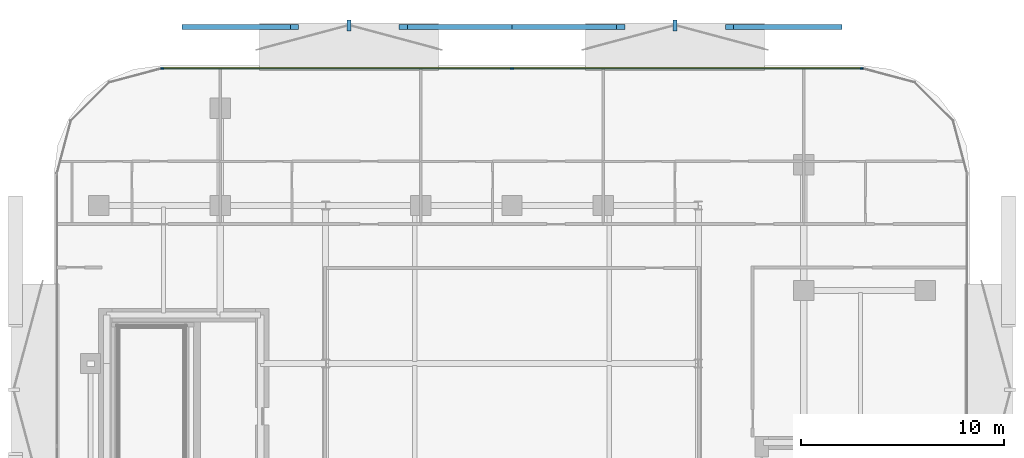
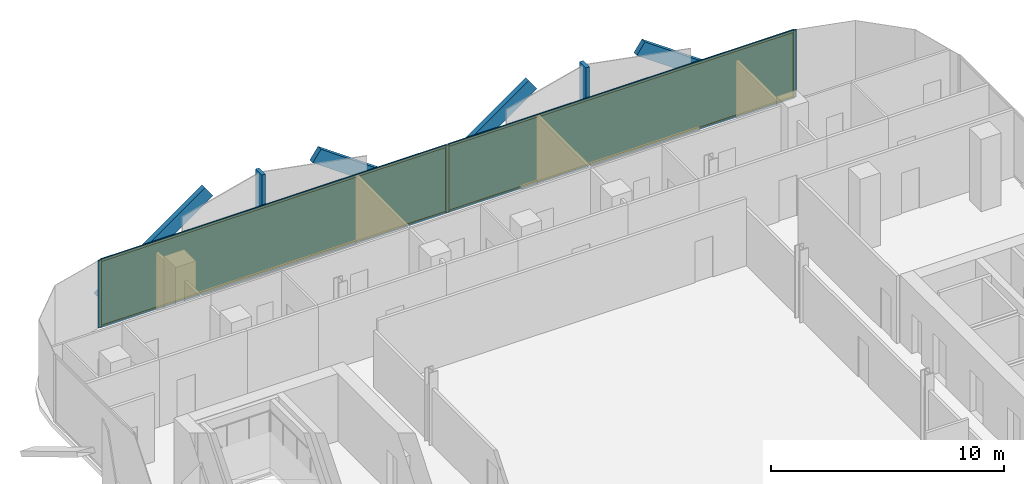
# One storey, part 12 of 17: 13 members, 2 plates, 1 curtain wall.
"""IFC4 building model written with IfcOpenShell, lengths in metres."""

from ifc_helpers import new_model, si_unit, direction, frame, frame_2d, origin, origin_2d, place, context, subcontext, project, spatial, rectangle, extrude, material, layer, layer_set, material_profile, profile_set, type_object, element, aggregate, save


model = new_model("IFC4")

# Units and contexts
model_context = context("Model", 3, precision=1e-05, world=origin(), true_north=direction((0.0, 1.0)))
body_context = subcontext(model_context, "Body", "Model", "MODEL_VIEW")
ifc_project = project(units=[si_unit("LENGTHUNIT", "METRE"), si_unit("AREAUNIT", "SQUARE_METRE"), si_unit("VOLUMEUNIT", "CUBIC_METRE"), si_unit("PLANEANGLEUNIT", "RADIAN"), si_unit("MASSUNIT", "GRAM", prefix="KILO")], contexts=[model_context])

# Member
ifc_material_1 = material(Name="Anodised Bronze Aluminium 6063-T6", Category="aluminium")
ifc_material_profile_1 = material_profile(ifc_material_1, rectangle(XDim=0.260009765625, YDim=0.699951171875, at=origin_2d()))
ifc_profile_set_1 = profile_set([ifc_material_profile_1], Name="Anodised Bronze Aluminium 6063-T6")
member_type_1 = type_object("IfcMemberType", Name="Bronze Diamond Solar-Screen Lattice Rib BDL-700", PredefinedType="MULLION", material=ifc_profile_set_1)
site_placement = place(None, origin())
building_placement = place(site_placement, origin())
storey_placement = place(building_placement, frame((0.0, 0.0, 172.60009765625)))
member_1_placement = place(storey_placement, frame((-16.0908203125, 27.39990234375, -0.130126953125), z_axis=(0.815960970702, 0.0, 0.578106992079), x_axis=(0.0, 1.0, 0.0)))
member_1 = element("IfcMember", 1, at=member_1_placement, type_object=member_type_1, Name="L39 Bronze Diamond Solar Screen Lattice Rib 253A", PredefinedType="MULLION", context=body_context, shape_type="SweptSolid", body=[
    extrude(rectangle(XDim=0.260009765625, YDim=0.699951171875, at=origin_2d()), origin(), (0.0, 0.0, 1.0), 6.5732421875),
])

member_2_placement = place(storey_placement, frame((0.0, 27.39990234375, -0.130126953125), z_axis=(-0.815960970702, 0.0, 0.578106992079), x_axis=(0.0, -1.0, 0.0)))
member_2 = element("IfcMember", 2, at=member_2_placement, type_object=member_type_1, Name="L39 Bronze Diamond Solar Screen Lattice Rib 253B", PredefinedType="MULLION", context=body_context, shape_type="SweptSolid", body=[
    extrude(rectangle(XDim=0.260009765625, YDim=0.699951171875, at=origin_2d()), origin(), (0.0, 0.0, 1.0), 6.5732421875),
])

member_3_placement = place(storey_placement, frame((0.0, 27.39990234375, -0.130126953125), z_axis=(0.815960970702, 0.0, 0.578106992079), x_axis=(0.0, 1.0, 0.0)))
member_3 = element("IfcMember", 3, at=member_3_placement, type_object=member_type_1, Name="L39 Bronze Diamond Solar Screen Lattice Rib 254A", PredefinedType="MULLION", context=body_context, shape_type="SweptSolid", body=[
    extrude(rectangle(XDim=0.260009765625, YDim=0.699951171875, at=origin_2d()), origin(), (0.0, 0.0, 1.0), 6.5732421875),
])

member_4_placement = place(storey_placement, frame((16.0908203125, 27.39990234375, -0.130126953125), z_axis=(-0.815960970702, 0.0, 0.578106992079), x_axis=(0.0, -1.0, 0.0)))
member_4 = element("IfcMember", 4, at=member_4_placement, type_object=member_type_1, Name="L39 Bronze Diamond Solar Screen Lattice Rib 254B", PredefinedType="MULLION", context=body_context, shape_type="SweptSolid", body=[
    extrude(rectangle(XDim=0.260009765625, YDim=0.699951171875, at=origin_2d()), origin(), (0.0, 0.0, 1.0), 6.5732421875),
])

ifc_material_2 = material(Name="Anodised Bronze Aluminium 6063-T6", Category="aluminium")
ifc_material_profile_2 = material_profile(ifc_material_2, rectangle(XDim=0.179931640625, YDim=0.5400390625, at=origin_2d()))
ifc_profile_set_2 = profile_set([ifc_material_profile_2], Name="Anodised Bronze Aluminium 6063-T6")
member_type_2 = type_object("IfcMemberType", Name="Bronze Solar-Screen Vertical Fold Fin BSF-540", PredefinedType="MULLION", material=ifc_profile_set_2)
member_5_placement = place(storey_placement, frame((-8.04541015625, 27.47998046875, -0.130126953125), z_axis=(0.0, 0.0, 1.0), x_axis=(1.0, 0.0, 0.0)))
member_5 = element("IfcMember", 5, at=member_5_placement, type_object=member_type_2, Name="L39 Bronze Solar Screen Vertical Fin 253", PredefinedType="MULLION", context=body_context, shape_type="SweptSolid", body=[
    extrude(rectangle(XDim=0.179931640625, YDim=0.5400390625, at=origin_2d()), origin(), (0.0, 0.0, 1.0), 3.800048828125),
])

member_6_placement = place(storey_placement, frame((8.04541015625, 27.47998046875, -0.130126953125), z_axis=(0.0, 0.0, 1.0), x_axis=(1.0, 0.0, 0.0)))
member_6 = element("IfcMember", 6, at=member_6_placement, type_object=member_type_2, Name="L39 Bronze Solar Screen Vertical Fin 254", PredefinedType="MULLION", context=body_context, shape_type="SweptSolid", body=[
    extrude(rectangle(XDim=0.179931640625, YDim=0.5400390625, at=origin_2d()), origin(), (0.0, 0.0, 1.0), 3.800048828125),
])

ifc_material_3 = material(Name="Anodised Bronze Aluminium 6063-T6", Category="aluminium")
ifc_material_profile_3 = material_profile(ifc_material_3, rectangle(XDim=0.06005859375, YDim=0.1650390625, at=origin_2d()))
ifc_profile_set_3 = profile_set([ifc_material_profile_3], Name="Anodised Bronze Aluminium 6063-T6")
member_type_3 = type_object("IfcMemberType", Name="CW-Z3 Mullion 60x165", PredefinedType="MULLION", material=ifc_profile_set_3)
member_7_placement = place(storey_placement, frame((-17.2607421875, 25.360107421875, 0.0), z_axis=(0.0, 0.0, 1.0), x_axis=(0.0, 1.0, 0.0)))
member_7 = element("IfcMember", 7, at=member_7_placement, type_object=member_type_3, Name="CW-Z3 mullion 1", PredefinedType="MULLION", context=body_context, shape_type="SweptSolid", body=[
    extrude(rectangle(XDim=0.06005859375, YDim=0.1650390625, at=origin_2d()), origin(), (0.0, 0.0, 1.0), 3.539794921875),
])

member_8_placement = place(storey_placement, frame((0.0, 25.360107421875, 0.0), z_axis=(0.0, 0.0, 1.0), x_axis=(0.0, 1.0, 0.0)))
member_8 = element("IfcMember", 8, at=member_8_placement, type_object=member_type_3, Name="CW-Z3 mullion 2", PredefinedType="MULLION", context=body_context, shape_type="SweptSolid", body=[
    extrude(rectangle(XDim=0.06005859375, YDim=0.1650390625, at=origin_2d()), origin(), (0.0, 0.0, 1.0), 3.539794921875),
])

member_9_placement = place(storey_placement, frame((17.2607421875, 25.360107421875, 0.0), z_axis=(0.0, 0.0, 1.0), x_axis=(0.0, 1.0, 0.0)))
member_9 = element("IfcMember", 9, at=member_9_placement, type_object=member_type_3, Name="CW-Z3 mullion 3", PredefinedType="MULLION", context=body_context, shape_type="SweptSolid", body=[
    extrude(rectangle(XDim=0.06005859375, YDim=0.1650390625, at=origin_2d()), origin(), (0.0, 0.0, 1.0), 3.539794921875),
])

ifc_material_4 = material(Name="Anodised Bronze Aluminium 6063-T6", Category="aluminium")
ifc_material_profile_4 = material_profile(ifc_material_4, rectangle(XDim=0.06005859375, YDim=0.1298828125, at=origin_2d()))
ifc_profile_set_4 = profile_set([ifc_material_profile_4], Name="Anodised Bronze Aluminium 6063-T6")
member_type_4 = type_object("IfcMemberType", Name="CW-Z3 Transom 60x130", PredefinedType="USERDEFINED", material=ifc_profile_set_4)
member_10_placement = place(storey_placement, frame((-17.230712890625, 25.360107421875, 0.02978515625), z_axis=(1.0, 0.0, 0.0), x_axis=(0.0, 1.0, 0.0)))
member_10 = element("IfcMember", 10, at=member_10_placement, type_object=member_type_4, Name="CW-Z3 transom 1.1", ObjectType="TRANSOM", PredefinedType="USERDEFINED", context=body_context, shape_type="SweptSolid", body=[
    extrude(rectangle(XDim=0.06005859375, YDim=0.1298828125, at=origin_2d()), origin(), (0.0, 0.0, 1.0), 17.20068359375),
])

member_11_placement = place(storey_placement, frame((-17.230712890625, 25.360107421875, 3.510009765625), z_axis=(1.0, 0.0, 0.0), x_axis=(0.0, 1.0, 0.0)))
member_11 = element("IfcMember", 11, at=member_11_placement, type_object=member_type_4, Name="CW-Z3 transom 1.2", ObjectType="TRANSOM", PredefinedType="USERDEFINED", context=body_context, shape_type="SweptSolid", body=[
    extrude(rectangle(XDim=0.06005859375, YDim=0.1298828125, at=origin_2d()), origin(), (0.0, 0.0, 1.0), 17.20068359375),
])

member_12_placement = place(storey_placement, frame((0.030029296875, 25.360107421875, 0.02978515625), z_axis=(1.0, 0.0, 0.0), x_axis=(0.0, 1.0, 0.0)))
member_12 = element("IfcMember", 12, at=member_12_placement, type_object=member_type_4, Name="CW-Z3 transom 2.1", ObjectType="TRANSOM", PredefinedType="USERDEFINED", context=body_context, shape_type="SweptSolid", body=[
    extrude(rectangle(XDim=0.06005859375, YDim=0.1298828125, at=origin_2d()), origin(), (0.0, 0.0, 1.0), 17.20068359375),
])

member_13_placement = place(storey_placement, frame((0.030029296875, 25.360107421875, 3.510009765625), z_axis=(1.0, 0.0, 0.0), x_axis=(0.0, 1.0, 0.0)))
member_13 = element("IfcMember", 13, at=member_13_placement, type_object=member_type_4, Name="CW-Z3 transom 2.2", ObjectType="TRANSOM", PredefinedType="USERDEFINED", context=body_context, shape_type="SweptSolid", body=[
    extrude(rectangle(XDim=0.06005859375, YDim=0.1298828125, at=origin_2d()), origin(), (0.0, 0.0, 1.0), 17.20068359375),
])

# Plate
ifc_material_5 = material(Name="Low-E Solar Control Laminated Glass", Category="glass")
ifc_layer_1 = layer(ifc_material_5, 0.030029296875, Name="Low-E Solar Control Laminated Glass")
ifc_layer_set_1 = layer_set([ifc_layer_1], Name="Low-E Solar Control Laminated Glass")
plate_type = type_object("IfcPlateType", Name="CW-Z3 Low-E Double Glazed Panel 30mm", PredefinedType="CURTAIN_PANEL", material=ifc_layer_set_1)
plate_1_placement = place(storey_placement, frame((-8.63037109375, 25.360107421875, 0.06005859375), z_axis=(0.0, 0.0, 1.0), x_axis=(1.0, 0.0, 0.0)))
plate_1 = element("IfcPlate", 14, at=plate_1_placement, type_object=plate_type, Name="CW-Z3 panel 1.1", PredefinedType="CURTAIN_PANEL", context=body_context, shape_type="SweptSolid", body=[
    extrude(rectangle(XDim=17.20068359375, YDim=0.030029296875, at=origin_2d()), origin(), (0.0, 0.0, 1.0), 3.419921875),
])

plate_2_placement = place(storey_placement, frame((8.63037109375, 25.360107421875, 0.06005859375), z_axis=(0.0, 0.0, 1.0), x_axis=(1.0, 0.0, 0.0)))
plate_2 = element("IfcPlate", 15, at=plate_2_placement, type_object=plate_type, Name="CW-Z3 panel 2.1", PredefinedType="CURTAIN_PANEL", context=body_context, shape_type="SweptSolid", body=[
    extrude(rectangle(XDim=17.20068359375, YDim=0.030029296875, at=origin_2d()), origin(), (0.0, 0.0, 1.0), 3.419921875),
])

# Site, building, storey
site = spatial("IfcSite", under=ifc_project, at=site_placement, CompositionType="ELEMENT")
building = spatial("IfcBuilding", under=site, at=building_placement, Name="Khairoan Windgate Tower", CompositionType="ELEMENT")
storey = spatial("IfcBuildingStorey", under=building, at=storey_placement, Name="L39", CompositionType="ELEMENT", Elevation=172.60009765625)

# Curtain wall
ifc_material_6 = material(Name="Anodised Bronze Aluminium 6063-T6", Category="aluminium")
ifc_layer_2 = layer(ifc_material_6, 0.1650390625, Name="Anodised Bronze Aluminium 6063-T6")
ifc_layer_set_2 = layer_set([ifc_layer_2], Name="Anodised Bronze Aluminium 6063-T6")
curtain_wall_type = type_object("IfcCurtainWallType", Name="Luxury Hotel Acoustic Curtain Wall CW-Z3", PredefinedType="NOTDEFINED", material=ifc_layer_set_2)
curtain_wall_placement = place(storey_placement, frame((-17.290771484375, 25.360107421875, 0.0), z_axis=(0.0, 0.0, 1.0), x_axis=(1.0, 0.0, 0.0)))
curtain_wall = element("IfcCurtainWall", 16, at=curtain_wall_placement, inside=storey, type_object=curtain_wall_type, Name="L39 Unitised Curtain Wall 9", PredefinedType="NOTDEFINED", context=body_context, shape_type="SweptSolid", body=[
    extrude(rectangle(XDim=34.58154296875, YDim=0.010009765625, at=frame_2d((17.290771484375, 0.0))), origin(), (0.0, 0.0, 1.0), 3.539794921875),
])

aggregate(curtain_wall, [member_7, member_8, member_9, member_10, member_11, plate_1, member_12, member_13, plate_2, member_1, member_2, member_5, member_3, member_4, member_6])

save(model, "model.ifc")
